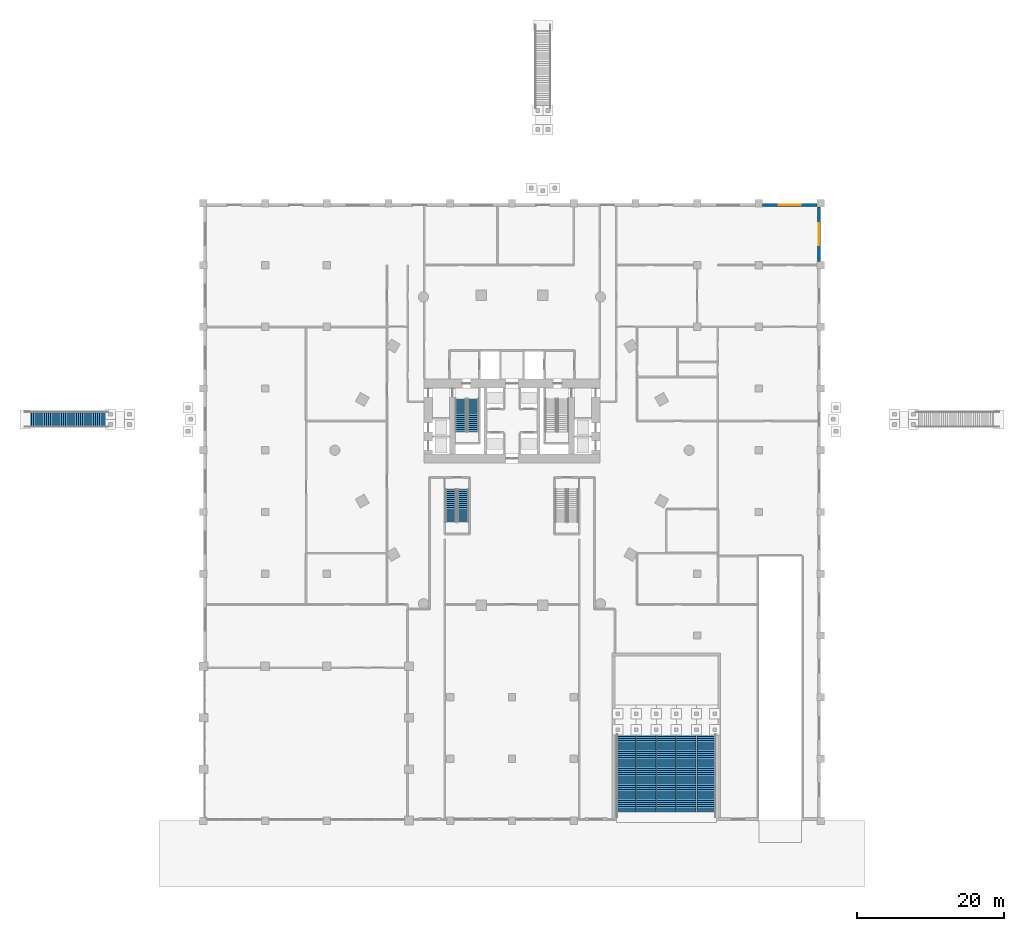
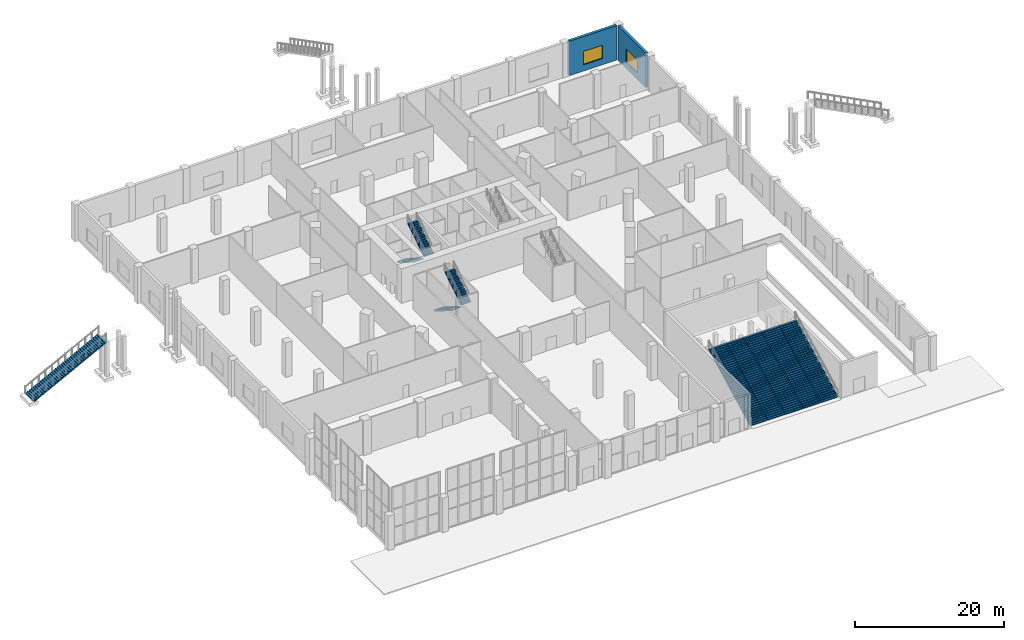
# One storey, part 18 of 25: 10 stair flights, 2 walls, 2 windows, 2 openings, 8 elements without a shape of their own.
"""IFC4 building model written with IfcOpenShell, lengths in metres."""

from ifc_helpers import new_model, si_unit, direction, frame, frame_2d, origin, place, context, subcontext, project, spatial, polyline, rectangle, outline, extrude, material, layer, layer_set, type_object, element, fill, aggregate, save


model = new_model("IFC4")

# Units and contexts
model_context = context("Model", 3, precision=1e-05, world=origin(), true_north=direction((0.0, 1.0)))
body_context = subcontext(model_context, "Body", "Model", "MODEL_VIEW")
ifc_project = project(units=[si_unit("LENGTHUNIT", "METRE"), si_unit("AREAUNIT", "SQUARE_METRE"), si_unit("VOLUMEUNIT", "CUBIC_METRE"), si_unit("PLANEANGLEUNIT", "RADIAN"), si_unit("MASSUNIT", "GRAM", prefix="KILO")], contexts=[model_context])

# Site, building, storey
site_placement = place(None, origin())
site = spatial("IfcSite", under=ifc_project, at=site_placement, CompositionType="ELEMENT")
building_placement = place(site_placement, origin())
building = spatial("IfcBuilding", under=site, at=building_placement, Name="Ostrander Bayou Hotel Tower", CompositionType="ELEMENT")
storey_placement = place(building_placement, origin())
storey = spatial("IfcBuildingStorey", under=building, at=storey_placement, Name="L00", CompositionType="ELEMENT", Elevation=0.0)

# Wall, opening, window
ifc_material_1 = material(Name="Reconstituted stone on masonry backing", Category="masonry")
ifc_layer = layer(ifc_material_1, 0.39990234375)
ifc_layer_set = layer_set([ifc_layer], Name="PW1 stone cladding wall 400 mm")
wall_type = type_object("IfcWallType", Name="PW1 stone cladding wall 400 mm", PredefinedType="SOLIDWALL", material=ifc_layer_set)
wall_1_placement = place(storey_placement, frame((41.800048828125, 33.10009765625, 0.0), z_axis=(0.0, 0.0, 1.0), x_axis=(0.0, -1.0, 0.0)))
wall_1 = element("IfcWall", 1, at=wall_1_placement, inside=storey, type_object=wall_type, Name="pw:L00:9", PredefinedType="SOLIDWALL", context=body_context, shape_type="SweptSolid", body=[
    extrude(rectangle(XDim=7.400146484375, YDim=0.39990234375, at=frame_2d((3.7001953125, 0.0))), origin(), (0.0, 0.0, 1.0), 5.64990234375),
])
opening_1_placement = place(wall_1_placement, frame((2.199951171875, 0.0, 1.0)))
opening_1 = element("IfcOpeningElement", 2, at=opening_1_placement, cuts=wall_1, Name="Opening W6", PredefinedType="OPENING", context=body_context, shape_type="SweptSolid", body=[
    extrude(rectangle(XDim=3.0, YDim=2.199951171875, at=frame_2d((1.5, 1.10009765625))), frame((0.0, 0.199951171875, 0.0), z_axis=(0.0, -1.0, 0.0), x_axis=(1.0, 0.0, 0.0)), (0.0, 0.0, 1.0), 0.39990234375),
])
ifc_material_2 = material(Name="Aluminium and clear glass", Category="aluminium")
window_type = type_object("IfcWindowType", Name="W6 podium window 3000 mm", PartitioningType="SINGLE_PANEL", PredefinedType="WINDOW", material=ifc_material_2)
window_1_placement = place(opening_1_placement, origin())
window_1 = element("IfcWindow", 3, at=window_1_placement, inside=storey, type_object=window_type, Name="W6 L00 9", OverallHeight=2.199951171875, OverallWidth=3.0, PartitioningType="SINGLE_PANEL", PredefinedType="WINDOW", context=body_context, shape_type="SweptSolid", body=[
    extrude(rectangle(XDim=3.0, YDim=2.199951171875, at=frame_2d((1.5, 1.10009765625))), frame((0.0, 0.030029296875, 0.0), z_axis=(0.0, -1.0, 0.0), x_axis=(1.0, 0.0, 0.0)), (0.0, 0.0, 1.0), 0.06005859375),
])
fill(opening_1, window_1)

wall_2_placement = place(storey_placement, frame((34.10009765625, 33.39990234375, 0.0), z_axis=(0.0, 0.0, 1.0), x_axis=(1.0, 0.0, 0.0)))
wall_2 = element("IfcWall", 4, at=wall_2_placement, inside=storey, type_object=wall_type, Name="pw:L00:28", PredefinedType="SOLIDWALL", context=body_context, shape_type="SweptSolid", body=[
    extrude(rectangle(XDim=7.39990234375, YDim=0.39990234375, at=frame_2d((3.699951171875, 0.0))), origin(), (0.0, 0.0, 1.0), 5.64990234375),
])
opening_2_placement = place(wall_2_placement, frame((2.199951171875, 0.0, 1.0)))
opening_2 = element("IfcOpeningElement", 5, at=opening_2_placement, cuts=wall_2, Name="Opening W6", PredefinedType="OPENING", context=body_context, shape_type="SweptSolid", body=[
    extrude(rectangle(XDim=3.0, YDim=2.199951171875, at=frame_2d((1.5, 1.10009765625))), frame((0.0, 0.199951171875, 0.0), z_axis=(0.0, -1.0, 0.0), x_axis=(1.0, 0.0, 0.0)), (0.0, 0.0, 1.0), 0.39990234375),
])
window_2_placement = place(opening_2_placement, origin())
window_2 = element("IfcWindow", 6, at=window_2_placement, inside=storey, type_object=window_type, Name="W6 L00 28", OverallHeight=2.199951171875, OverallWidth=3.0, PartitioningType="SINGLE_PANEL", PredefinedType="WINDOW", context=body_context, shape_type="SweptSolid", body=[
    extrude(rectangle(XDim=3.0, YDim=2.199951171875, at=frame_2d((1.5, 1.10009765625))), frame((0.0, 0.030029296875, 0.0), z_axis=(0.0, -1.0, 0.0), x_axis=(1.0, 0.0, 0.0)), (0.0, 0.0, 1.0), 0.06005859375),
])
fill(opening_2, window_2)

# Stair, stair flights
ifc_material_3 = material(Name="Concrete f'c 45 MPa", Category="concrete")
stair_type_1 = type_object("IfcStairType", Name="ST1 exit stair 1500 mm f'c 45 MPa", PredefinedType="HALF_TURN_STAIR", material=ifc_material_3)
stair_1_placement = place(storey_placement, origin())
stair_1 = element("IfcStair", 7, at=stair_1_placement, inside=storey, type_object=stair_type_1, Name="L00 exit stair A", PredefinedType="HALF_TURN_STAIR")
ifc_material_4 = material(Name="Concrete f'c 45 MPa", Category="concrete")
stair_flight_type_1 = type_object("IfcStairFlightType", Name="SF1 stair flight 1500 mm f'c 45 MPa", PredefinedType="STRAIGHT", material=ifc_material_4)
stair_flight_1_placement = place(storey_placement, frame((-6.949951171875, 7.0, 0.0), z_axis=(0.0, 0.0, 1.0), x_axis=(0.0, -1.0, 0.0)))
stair_flight_1 = element("IfcStairFlight", 8, at=stair_flight_1_placement, type_object=stair_flight_type_1, Name="STA flight 1", NumberOfRisers=17, NumberOfTreads=16, PredefinedType="STRAIGHT", RiserHeight=0.176470588, TreadLength=0.28, context=body_context, shape_type="SweptSolid", body=[
    extrude(outline(polyline([(0.0, 0.0), (0.0, 0.176513671875), (0.280029296875, 0.176513671875), (0.280029296875, 0.35302734375), (0.56005859375, 0.35302734375), (0.56005859375, 0.529296875), (0.840087890625, 0.529296875), (0.840087890625, 0.705810546875), (1.1201171875, 0.705810546875), (1.1201171875, 0.88232421875), (1.39990234375, 0.88232421875), (1.39990234375, 1.058837890625), (1.679931640625, 1.058837890625), (1.679931640625, 1.2353515625), (1.9599609375, 1.2353515625), (1.9599609375, 1.411865234375), (2.239990234375, 1.411865234375), (2.239990234375, 1.588134765625), (2.52001953125, 1.588134765625), (2.52001953125, 1.7646484375), (2.800048828125, 1.7646484375), (2.800048828125, 1.941162109375), (3.080078125, 1.941162109375), (3.080078125, 2.11767578125), (3.360107421875, 2.11767578125), (3.360107421875, 2.294189453125), (3.639892578125, 2.294189453125), (3.639892578125, 2.470703125), (3.919921875, 2.470703125), (3.919921875, 2.64697265625), (4.199951171875, 2.64697265625), (4.199951171875, 2.823486328125), (4.47998046875, 2.823486328125), (4.47998046875, 3.0), (4.47998046875, 2.646240234375), (0.28125, 0.0), (0.0, 0.0)])), frame((0.0, 0.75, 0.0), z_axis=(0.0, -1.0, 0.0), x_axis=(1.0, 0.0, 0.0)), (0.0, 0.0, 1.0), 1.5),
])
stair_flight_2_placement = place(storey_placement, frame((-5.300048828125, 2.52001953125, 3.0), z_axis=(0.0, 0.0, 1.0), x_axis=(0.0, 1.0, 0.0)))
stair_flight_2 = element("IfcStairFlight", 9, at=stair_flight_2_placement, type_object=stair_flight_type_1, Name="STA flight 2", NumberOfRisers=17, NumberOfTreads=16, PredefinedType="STRAIGHT", RiserHeight=0.176470588, TreadLength=0.28, context=body_context, shape_type="SweptSolid", body=[
    extrude(outline(polyline([(0.0, 0.0), (0.0, 0.176513671875), (0.280029296875, 0.176513671875), (0.280029296875, 0.35302734375), (0.56005859375, 0.35302734375), (0.56005859375, 0.529296875), (0.840087890625, 0.529296875), (0.840087890625, 0.705810546875), (1.1201171875, 0.705810546875), (1.1201171875, 0.88232421875), (1.39990234375, 0.88232421875), (1.39990234375, 1.058837890625), (1.679931640625, 1.058837890625), (1.679931640625, 1.2353515625), (1.9599609375, 1.2353515625), (1.9599609375, 1.411865234375), (2.239990234375, 1.411865234375), (2.239990234375, 1.588134765625), (2.52001953125, 1.588134765625), (2.52001953125, 1.7646484375), (2.800048828125, 1.7646484375), (2.800048828125, 1.941162109375), (3.080078125, 1.941162109375), (3.080078125, 2.11767578125), (3.360107421875, 2.11767578125), (3.360107421875, 2.294189453125), (3.639892578125, 2.294189453125), (3.639892578125, 2.470703125), (3.919921875, 2.470703125), (3.919921875, 2.64697265625), (4.199951171875, 2.64697265625), (4.199951171875, 2.823486328125), (4.47998046875, 2.823486328125), (4.47998046875, 3.0), (4.47998046875, 2.646240234375), (0.28125, 0.0), (0.0, 0.0)])), frame((0.0, 0.75, 0.0), z_axis=(0.0, -1.0, 0.0), x_axis=(1.0, 0.0, 0.0)), (0.0, 0.0, 1.0), 1.5),
])
aggregate(stair_1, [stair_flight_1, stair_flight_2])

stair_2_placement = place(storey_placement, origin())
stair_2 = element("IfcStair", 10, at=stair_2_placement, inside=storey, type_object=stair_type_1, Name="L00 exit stair D", PredefinedType="HALF_TURN_STAIR")
stair_flight_3_placement = place(storey_placement, frame((-8.300048828125, -5.300048828125, 0.0), z_axis=(0.0, 0.0, 1.0), x_axis=(0.0, -1.0, 0.0)))
stair_flight_3 = element("IfcStairFlight", 11, at=stair_flight_3_placement, type_object=stair_flight_type_1, Name="STD flight 1", NumberOfRisers=17, NumberOfTreads=16, PredefinedType="STRAIGHT", RiserHeight=0.176470588, TreadLength=0.28, context=body_context, shape_type="SweptSolid", body=[
    extrude(outline(polyline([(0.0, 0.0), (0.0, 0.176513671875), (0.280029296875, 0.176513671875), (0.280029296875, 0.35302734375), (0.56005859375, 0.35302734375), (0.56005859375, 0.529296875), (0.840087890625, 0.529296875), (0.840087890625, 0.705810546875), (1.1201171875, 0.705810546875), (1.1201171875, 0.88232421875), (1.39990234375, 0.88232421875), (1.39990234375, 1.058837890625), (1.679931640625, 1.058837890625), (1.679931640625, 1.2353515625), (1.9599609375, 1.2353515625), (1.9599609375, 1.411865234375), (2.239990234375, 1.411865234375), (2.239990234375, 1.588134765625), (2.52001953125, 1.588134765625), (2.52001953125, 1.7646484375), (2.800048828125, 1.7646484375), (2.800048828125, 1.941162109375), (3.080078125, 1.941162109375), (3.080078125, 2.11767578125), (3.360107421875, 2.11767578125), (3.360107421875, 2.294189453125), (3.639892578125, 2.294189453125), (3.639892578125, 2.470703125), (3.919921875, 2.470703125), (3.919921875, 2.64697265625), (4.199951171875, 2.64697265625), (4.199951171875, 2.823486328125), (4.47998046875, 2.823486328125), (4.47998046875, 3.0), (4.47998046875, 2.646240234375), (0.28125, 0.0), (0.0, 0.0)])), frame((0.0, 0.75, 0.0), z_axis=(0.0, -1.0, 0.0), x_axis=(1.0, 0.0, 0.0)), (0.0, 0.0, 1.0), 1.5),
])
stair_flight_4_placement = place(storey_placement, frame((-6.64990234375, -9.780029296875, 3.0), z_axis=(0.0, 0.0, 1.0), x_axis=(0.0, 1.0, 0.0)))
stair_flight_4 = element("IfcStairFlight", 12, at=stair_flight_4_placement, type_object=stair_flight_type_1, Name="STD flight 2", NumberOfRisers=17, NumberOfTreads=16, PredefinedType="STRAIGHT", RiserHeight=0.176470588, TreadLength=0.28, context=body_context, shape_type="SweptSolid", body=[
    extrude(outline(polyline([(0.0, 0.0), (0.0, 0.176513671875), (0.280029296875, 0.176513671875), (0.280029296875, 0.35302734375), (0.56005859375, 0.35302734375), (0.56005859375, 0.529296875), (0.840087890625, 0.529296875), (0.840087890625, 0.705810546875), (1.1201171875, 0.705810546875), (1.1201171875, 0.88232421875), (1.39990234375, 0.88232421875), (1.39990234375, 1.058837890625), (1.679931640625, 1.058837890625), (1.679931640625, 1.2353515625), (1.9599609375, 1.2353515625), (1.9599609375, 1.411865234375), (2.239990234375, 1.411865234375), (2.239990234375, 1.588134765625), (2.52001953125, 1.588134765625), (2.52001953125, 1.7646484375), (2.800048828125, 1.7646484375), (2.800048828125, 1.941162109375), (3.080078125, 1.941162109375), (3.080078125, 2.11767578125), (3.360107421875, 2.11767578125), (3.360107421875, 2.294189453125), (3.639892578125, 2.294189453125), (3.639892578125, 2.470703125), (3.919921875, 2.470703125), (3.919921875, 2.64697265625), (4.199951171875, 2.64697265625), (4.199951171875, 2.823486328125), (4.47998046875, 2.823486328125), (4.47998046875, 3.0), (4.47998046875, 2.646240234375), (0.28125, 0.0), (0.0, 0.0)])), frame((0.0, 0.75, 0.0), z_axis=(0.0, -1.0, 0.0), x_axis=(1.0, 0.0, 0.0)), (0.0, 0.0, 1.0), 1.5),
])
aggregate(stair_2, [stair_flight_3, stair_flight_4])

# Stair, stair flight
ifc_material_5 = material(Name="Concrete f'c 40 MPa", Category="concrete")
stair_type_2 = type_object("IfcStairType", Name="ST11 deck stair 2200 mm", PredefinedType="STRAIGHT_RUN_STAIR", material=ifc_material_5)
stair_3_placement = place(storey_placement, origin())
stair_3 = element("IfcStair", 13, at=stair_3_placement, inside=storey, type_object=stair_type_2, Name="ST11 deck stair W", PredefinedType="STRAIGHT_RUN_STAIR")
ifc_material_6 = material(Name="Concrete f'c 40 MPa", Category="concrete")
stair_flight_type_2 = type_object("IfcStairFlightType", Name="ST11 deck stair flight 2200 mm", PredefinedType="STRAIGHT", material=ifc_material_6)
stair_flight_5_placement = place(storey_placement, frame((-66.25, 4.199951171875, 0.0), z_axis=(0.0, 0.0, 1.0), x_axis=(1.0, 0.0, 0.0)))
stair_flight_5 = element("IfcStairFlight", 14, at=stair_flight_5_placement, type_object=stair_flight_type_2, Name="ST11 flight 1", NumberOfRisers=40, NumberOfTreads=39, PredefinedType="STRAIGHT", RiserHeight=0.15, TreadLength=0.29, context=body_context, shape_type="SweptSolid", body=[
    extrude(outline(polyline([(0.0, 0.0), (0.0, 0.14990234375), (0.2900390625, 0.14990234375), (0.2900390625, 0.300048828125), (0.580078125, 0.300048828125), (0.580078125, 0.449951171875), (0.8701171875, 0.449951171875), (0.8701171875, 0.60009765625), (1.159912109375, 0.60009765625), (1.159912109375, 0.75), (1.449951171875, 0.75), (1.449951171875, 0.89990234375), (1.739990234375, 0.89990234375), (1.739990234375, 1.050048828125), (2.030029296875, 1.050048828125), (2.030029296875, 1.199951171875), (2.320068359375, 1.199951171875), (2.320068359375, 1.35009765625), (2.610107421875, 1.35009765625), (2.610107421875, 1.5), (2.89990234375, 1.5), (2.89990234375, 1.64990234375), (3.18994140625, 1.64990234375), (3.18994140625, 1.800048828125), (3.47998046875, 1.800048828125), (3.47998046875, 1.949951171875), (3.77001953125, 1.949951171875), (3.77001953125, 2.10009765625), (4.06005859375, 2.10009765625), (4.06005859375, 2.25), (4.35009765625, 2.25), (4.35009765625, 2.39990234375), (4.639892578125, 2.39990234375), (4.639892578125, 2.550048828125), (4.929931640625, 2.550048828125), (4.929931640625, 2.699951171875), (5.219970703125, 2.699951171875), (5.219970703125, 2.85009765625), (5.510009765625, 2.85009765625), (5.510009765625, 3.0), (5.800048828125, 3.0), (5.800048828125, 3.14990234375), (6.090087890625, 3.14990234375), (6.090087890625, 3.300048828125), (6.3798828125, 3.300048828125), (6.3798828125, 3.449951171875), (6.669921875, 3.449951171875), (6.669921875, 3.60009765625), (6.9599609375, 3.60009765625), (6.9599609375, 3.75), (7.25, 3.75), (7.25, 3.89990234375), (7.5400390625, 3.89990234375), (7.5400390625, 4.050048828125), (7.830078125, 4.050048828125), (7.830078125, 4.199951171875), (8.1201171875, 4.199951171875), (8.1201171875, 4.35009765625), (8.409912109375, 4.35009765625), (8.409912109375, 4.5), (8.699951171875, 4.5), (8.699951171875, 4.64990234375), (8.989990234375, 4.64990234375), (8.989990234375, 4.800048828125), (9.280029296875, 4.800048828125), (9.280029296875, 4.949951171875), (9.570068359375, 4.949951171875), (9.570068359375, 5.10009765625), (9.860107421875, 5.10009765625), (9.860107421875, 5.25), (10.14990234375, 5.25), (10.14990234375, 5.39990234375), (10.43994140625, 5.39990234375), (10.43994140625, 5.550048828125), (10.72998046875, 5.550048828125), (10.72998046875, 5.699951171875), (11.02001953125, 5.699951171875), (11.02001953125, 5.85009765625), (11.31005859375, 5.85009765625), (11.31005859375, 6.0), (11.31005859375, 5.68115234375), (0.326171875, 0.0), (0.0, 0.0)])), frame((0.0, 1.10009765625, 0.0), z_axis=(0.0, -1.0, 0.0), x_axis=(1.0, 0.0, 0.0)), (0.0, 0.0, 1.0), 2.199951171875),
])
aggregate(stair_3, [stair_flight_5])

ifc_material_7 = material(Name="Concrete f'c 40 MPa", Category="concrete")
stair_type_3 = type_object("IfcStairType", Name="ST9 garden stair", PredefinedType="STRAIGHT_RUN_STAIR", material=ifc_material_7)
stair_4_placement = place(storey_placement, origin())
stair_4 = element("IfcStair", 15, at=stair_4_placement, inside=storey, type_object=stair_type_3, Name="ST9 garden stair 1", PredefinedType="STRAIGHT_RUN_STAIR")
ifc_material_8 = material(Name="Concrete f'c 40 MPa", Category="concrete")
stair_flight_type_3 = type_object("IfcStairFlightType", Name="ST9 garden stair flight", PredefinedType="STRAIGHT", material=ifc_material_8)
stair_flight_6_placement = place(storey_placement, frame((15.528076171875, -49.949951171875, 0.0), z_axis=(0.0, 0.0, 1.0), x_axis=(0.0, 1.0, 0.0)))
stair_flight_6 = element("IfcStairFlight", 16, at=stair_flight_6_placement, type_object=stair_flight_type_3, Name="ST9 flight 1", NumberOfRisers=40, NumberOfTreads=39, PredefinedType="STRAIGHT", RiserHeight=0.15, TreadLength=0.29, context=body_context, shape_type="SweptSolid", body=[
    extrude(outline(polyline([(0.0, 0.0), (0.0, 0.14990234375), (0.2900390625, 0.14990234375), (0.2900390625, 0.300048828125), (0.580078125, 0.300048828125), (0.580078125, 0.449951171875), (0.8701171875, 0.449951171875), (0.8701171875, 0.60009765625), (1.159912109375, 0.60009765625), (1.159912109375, 0.75), (1.449951171875, 0.75), (1.449951171875, 0.89990234375), (1.739990234375, 0.89990234375), (1.739990234375, 1.050048828125), (2.030029296875, 1.050048828125), (2.030029296875, 1.199951171875), (2.320068359375, 1.199951171875), (2.320068359375, 1.35009765625), (2.610107421875, 1.35009765625), (2.610107421875, 1.5), (2.89990234375, 1.5), (2.89990234375, 1.64990234375), (3.18994140625, 1.64990234375), (3.18994140625, 1.800048828125), (3.47998046875, 1.800048828125), (3.47998046875, 1.949951171875), (3.77001953125, 1.949951171875), (3.77001953125, 2.10009765625), (4.06005859375, 2.10009765625), (4.06005859375, 2.25), (4.35009765625, 2.25), (4.35009765625, 2.39990234375), (4.639892578125, 2.39990234375), (4.639892578125, 2.550048828125), (4.929931640625, 2.550048828125), (4.929931640625, 2.699951171875), (5.219970703125, 2.699951171875), (5.219970703125, 2.85009765625), (5.510009765625, 2.85009765625), (5.510009765625, 3.0), (5.800048828125, 3.0), (5.800048828125, 3.14990234375), (6.090087890625, 3.14990234375), (6.090087890625, 3.300048828125), (6.3798828125, 3.300048828125), (6.3798828125, 3.449951171875), (6.669921875, 3.449951171875), (6.669921875, 3.60009765625), (6.9599609375, 3.60009765625), (6.9599609375, 3.75), (7.25, 3.75), (7.25, 3.89990234375), (7.5400390625, 3.89990234375), (7.5400390625, 4.050048828125), (7.830078125, 4.050048828125), (7.830078125, 4.199951171875), (8.1201171875, 4.199951171875), (8.1201171875, 4.35009765625), (8.409912109375, 4.35009765625), (8.409912109375, 4.5), (8.699951171875, 4.5), (8.699951171875, 4.64990234375), (8.989990234375, 4.64990234375), (8.989990234375, 4.800048828125), (9.280029296875, 4.800048828125), (9.280029296875, 4.949951171875), (9.570068359375, 4.949951171875), (9.570068359375, 5.10009765625), (9.860107421875, 5.10009765625), (9.860107421875, 5.25), (10.14990234375, 5.25), (10.14990234375, 5.39990234375), (10.43994140625, 5.39990234375), (10.43994140625, 5.550048828125), (10.72998046875, 5.550048828125), (10.72998046875, 5.699951171875), (11.02001953125, 5.699951171875), (11.02001953125, 5.85009765625), (11.31005859375, 5.85009765625), (11.31005859375, 6.0), (11.31005859375, 5.68115234375), (0.326171875, 0.0), (0.0, 0.0)])), frame((0.0, 1.328125, 0.0), z_axis=(0.0, -1.0, 0.0), x_axis=(1.0, 0.0, 0.0)), (0.0, 0.0, 1.0), 2.656005859375),
])
aggregate(stair_4, [stair_flight_6])

stair_5_placement = place(storey_placement, origin())
stair_5 = element("IfcStair", 17, at=stair_5_placement, inside=storey, type_object=stair_type_3, Name="ST9 garden stair 2", PredefinedType="STRAIGHT_RUN_STAIR")
stair_flight_7_placement = place(storey_placement, frame((18.263916015625, -49.949951171875, 0.0), z_axis=(0.0, 0.0, 1.0), x_axis=(0.0, 1.0, 0.0)))
stair_flight_7 = element("IfcStairFlight", 18, at=stair_flight_7_placement, type_object=stair_flight_type_3, Name="ST9 flight 1", NumberOfRisers=40, NumberOfTreads=39, PredefinedType="STRAIGHT", RiserHeight=0.15, TreadLength=0.29, context=body_context, shape_type="SweptSolid", body=[
    extrude(outline(polyline([(0.0, 0.0), (0.0, 0.14990234375), (0.2900390625, 0.14990234375), (0.2900390625, 0.300048828125), (0.580078125, 0.300048828125), (0.580078125, 0.449951171875), (0.8701171875, 0.449951171875), (0.8701171875, 0.60009765625), (1.159912109375, 0.60009765625), (1.159912109375, 0.75), (1.449951171875, 0.75), (1.449951171875, 0.89990234375), (1.739990234375, 0.89990234375), (1.739990234375, 1.050048828125), (2.030029296875, 1.050048828125), (2.030029296875, 1.199951171875), (2.320068359375, 1.199951171875), (2.320068359375, 1.35009765625), (2.610107421875, 1.35009765625), (2.610107421875, 1.5), (2.89990234375, 1.5), (2.89990234375, 1.64990234375), (3.18994140625, 1.64990234375), (3.18994140625, 1.800048828125), (3.47998046875, 1.800048828125), (3.47998046875, 1.949951171875), (3.77001953125, 1.949951171875), (3.77001953125, 2.10009765625), (4.06005859375, 2.10009765625), (4.06005859375, 2.25), (4.35009765625, 2.25), (4.35009765625, 2.39990234375), (4.639892578125, 2.39990234375), (4.639892578125, 2.550048828125), (4.929931640625, 2.550048828125), (4.929931640625, 2.699951171875), (5.219970703125, 2.699951171875), (5.219970703125, 2.85009765625), (5.510009765625, 2.85009765625), (5.510009765625, 3.0), (5.800048828125, 3.0), (5.800048828125, 3.14990234375), (6.090087890625, 3.14990234375), (6.090087890625, 3.300048828125), (6.3798828125, 3.300048828125), (6.3798828125, 3.449951171875), (6.669921875, 3.449951171875), (6.669921875, 3.60009765625), (6.9599609375, 3.60009765625), (6.9599609375, 3.75), (7.25, 3.75), (7.25, 3.89990234375), (7.5400390625, 3.89990234375), (7.5400390625, 4.050048828125), (7.830078125, 4.050048828125), (7.830078125, 4.199951171875), (8.1201171875, 4.199951171875), (8.1201171875, 4.35009765625), (8.409912109375, 4.35009765625), (8.409912109375, 4.5), (8.699951171875, 4.5), (8.699951171875, 4.64990234375), (8.989990234375, 4.64990234375), (8.989990234375, 4.800048828125), (9.280029296875, 4.800048828125), (9.280029296875, 4.949951171875), (9.570068359375, 4.949951171875), (9.570068359375, 5.10009765625), (9.860107421875, 5.10009765625), (9.860107421875, 5.25), (10.14990234375, 5.25), (10.14990234375, 5.39990234375), (10.43994140625, 5.39990234375), (10.43994140625, 5.550048828125), (10.72998046875, 5.550048828125), (10.72998046875, 5.699951171875), (11.02001953125, 5.699951171875), (11.02001953125, 5.85009765625), (11.31005859375, 5.85009765625), (11.31005859375, 6.0), (11.31005859375, 5.68115234375), (0.326171875, 0.0), (0.0, 0.0)])), frame((0.0, 1.328125, 0.0), z_axis=(0.0, -1.0, 0.0), x_axis=(1.0, 0.0, 0.0)), (0.0, 0.0, 1.0), 2.656005859375),
])
aggregate(stair_5, [stair_flight_7])

stair_6_placement = place(storey_placement, origin())
stair_6 = element("IfcStair", 19, at=stair_6_placement, inside=storey, type_object=stair_type_3, Name="ST9 garden stair 3", PredefinedType="STRAIGHT_RUN_STAIR")
stair_flight_8_placement = place(storey_placement, frame((21.0, -49.949951171875, 0.0), z_axis=(0.0, 0.0, 1.0), x_axis=(0.0, 1.0, 0.0)))
stair_flight_8 = element("IfcStairFlight", 20, at=stair_flight_8_placement, type_object=stair_flight_type_3, Name="ST9 flight 1", NumberOfRisers=40, NumberOfTreads=39, PredefinedType="STRAIGHT", RiserHeight=0.15, TreadLength=0.29, context=body_context, shape_type="SweptSolid", body=[
    extrude(outline(polyline([(0.0, 0.0), (0.0, 0.14990234375), (0.2900390625, 0.14990234375), (0.2900390625, 0.300048828125), (0.580078125, 0.300048828125), (0.580078125, 0.449951171875), (0.8701171875, 0.449951171875), (0.8701171875, 0.60009765625), (1.159912109375, 0.60009765625), (1.159912109375, 0.75), (1.449951171875, 0.75), (1.449951171875, 0.89990234375), (1.739990234375, 0.89990234375), (1.739990234375, 1.050048828125), (2.030029296875, 1.050048828125), (2.030029296875, 1.199951171875), (2.320068359375, 1.199951171875), (2.320068359375, 1.35009765625), (2.610107421875, 1.35009765625), (2.610107421875, 1.5), (2.89990234375, 1.5), (2.89990234375, 1.64990234375), (3.18994140625, 1.64990234375), (3.18994140625, 1.800048828125), (3.47998046875, 1.800048828125), (3.47998046875, 1.949951171875), (3.77001953125, 1.949951171875), (3.77001953125, 2.10009765625), (4.06005859375, 2.10009765625), (4.06005859375, 2.25), (4.35009765625, 2.25), (4.35009765625, 2.39990234375), (4.639892578125, 2.39990234375), (4.639892578125, 2.550048828125), (4.929931640625, 2.550048828125), (4.929931640625, 2.699951171875), (5.219970703125, 2.699951171875), (5.219970703125, 2.85009765625), (5.510009765625, 2.85009765625), (5.510009765625, 3.0), (5.800048828125, 3.0), (5.800048828125, 3.14990234375), (6.090087890625, 3.14990234375), (6.090087890625, 3.300048828125), (6.3798828125, 3.300048828125), (6.3798828125, 3.449951171875), (6.669921875, 3.449951171875), (6.669921875, 3.60009765625), (6.9599609375, 3.60009765625), (6.9599609375, 3.75), (7.25, 3.75), (7.25, 3.89990234375), (7.5400390625, 3.89990234375), (7.5400390625, 4.050048828125), (7.830078125, 4.050048828125), (7.830078125, 4.199951171875), (8.1201171875, 4.199951171875), (8.1201171875, 4.35009765625), (8.409912109375, 4.35009765625), (8.409912109375, 4.5), (8.699951171875, 4.5), (8.699951171875, 4.64990234375), (8.989990234375, 4.64990234375), (8.989990234375, 4.800048828125), (9.280029296875, 4.800048828125), (9.280029296875, 4.949951171875), (9.570068359375, 4.949951171875), (9.570068359375, 5.10009765625), (9.860107421875, 5.10009765625), (9.860107421875, 5.25), (10.14990234375, 5.25), (10.14990234375, 5.39990234375), (10.43994140625, 5.39990234375), (10.43994140625, 5.550048828125), (10.72998046875, 5.550048828125), (10.72998046875, 5.699951171875), (11.02001953125, 5.699951171875), (11.02001953125, 5.85009765625), (11.31005859375, 5.85009765625), (11.31005859375, 6.0), (11.31005859375, 5.68115234375), (0.326171875, 0.0), (0.0, 0.0)])), frame((0.0, 1.328125, 0.0), z_axis=(0.0, -1.0, 0.0), x_axis=(1.0, 0.0, 0.0)), (0.0, 0.0, 1.0), 2.656005859375),
])
aggregate(stair_6, [stair_flight_8])

stair_7_placement = place(storey_placement, origin())
stair_7 = element("IfcStair", 21, at=stair_7_placement, inside=storey, type_object=stair_type_3, Name="ST9 garden stair 4", PredefinedType="STRAIGHT_RUN_STAIR")
stair_flight_9_placement = place(storey_placement, frame((23.736083984375, -49.949951171875, 0.0), z_axis=(0.0, 0.0, 1.0), x_axis=(0.0, 1.0, 0.0)))
stair_flight_9 = element("IfcStairFlight", 22, at=stair_flight_9_placement, type_object=stair_flight_type_3, Name="ST9 flight 1", NumberOfRisers=40, NumberOfTreads=39, PredefinedType="STRAIGHT", RiserHeight=0.15, TreadLength=0.29, context=body_context, shape_type="SweptSolid", body=[
    extrude(outline(polyline([(0.0, 0.0), (0.0, 0.14990234375), (0.2900390625, 0.14990234375), (0.2900390625, 0.300048828125), (0.580078125, 0.300048828125), (0.580078125, 0.449951171875), (0.8701171875, 0.449951171875), (0.8701171875, 0.60009765625), (1.159912109375, 0.60009765625), (1.159912109375, 0.75), (1.449951171875, 0.75), (1.449951171875, 0.89990234375), (1.739990234375, 0.89990234375), (1.739990234375, 1.050048828125), (2.030029296875, 1.050048828125), (2.030029296875, 1.199951171875), (2.320068359375, 1.199951171875), (2.320068359375, 1.35009765625), (2.610107421875, 1.35009765625), (2.610107421875, 1.5), (2.89990234375, 1.5), (2.89990234375, 1.64990234375), (3.18994140625, 1.64990234375), (3.18994140625, 1.800048828125), (3.47998046875, 1.800048828125), (3.47998046875, 1.949951171875), (3.77001953125, 1.949951171875), (3.77001953125, 2.10009765625), (4.06005859375, 2.10009765625), (4.06005859375, 2.25), (4.35009765625, 2.25), (4.35009765625, 2.39990234375), (4.639892578125, 2.39990234375), (4.639892578125, 2.550048828125), (4.929931640625, 2.550048828125), (4.929931640625, 2.699951171875), (5.219970703125, 2.699951171875), (5.219970703125, 2.85009765625), (5.510009765625, 2.85009765625), (5.510009765625, 3.0), (5.800048828125, 3.0), (5.800048828125, 3.14990234375), (6.090087890625, 3.14990234375), (6.090087890625, 3.300048828125), (6.3798828125, 3.300048828125), (6.3798828125, 3.449951171875), (6.669921875, 3.449951171875), (6.669921875, 3.60009765625), (6.9599609375, 3.60009765625), (6.9599609375, 3.75), (7.25, 3.75), (7.25, 3.89990234375), (7.5400390625, 3.89990234375), (7.5400390625, 4.050048828125), (7.830078125, 4.050048828125), (7.830078125, 4.199951171875), (8.1201171875, 4.199951171875), (8.1201171875, 4.35009765625), (8.409912109375, 4.35009765625), (8.409912109375, 4.5), (8.699951171875, 4.5), (8.699951171875, 4.64990234375), (8.989990234375, 4.64990234375), (8.989990234375, 4.800048828125), (9.280029296875, 4.800048828125), (9.280029296875, 4.949951171875), (9.570068359375, 4.949951171875), (9.570068359375, 5.10009765625), (9.860107421875, 5.10009765625), (9.860107421875, 5.25), (10.14990234375, 5.25), (10.14990234375, 5.39990234375), (10.43994140625, 5.39990234375), (10.43994140625, 5.550048828125), (10.72998046875, 5.550048828125), (10.72998046875, 5.699951171875), (11.02001953125, 5.699951171875), (11.02001953125, 5.85009765625), (11.31005859375, 5.85009765625), (11.31005859375, 6.0), (11.31005859375, 5.68115234375), (0.326171875, 0.0), (0.0, 0.0)])), frame((0.0, 1.328125, 0.0), z_axis=(0.0, -1.0, 0.0), x_axis=(1.0, 0.0, 0.0)), (0.0, 0.0, 1.0), 2.656005859375),
])
aggregate(stair_7, [stair_flight_9])

stair_8_placement = place(storey_placement, origin())
stair_8 = element("IfcStair", 23, at=stair_8_placement, inside=storey, type_object=stair_type_3, Name="ST9 garden stair 5", PredefinedType="STRAIGHT_RUN_STAIR")
stair_flight_10_placement = place(storey_placement, frame((26.471923828125, -49.949951171875, 0.0), z_axis=(0.0, 0.0, 1.0), x_axis=(0.0, 1.0, 0.0)))
stair_flight_10 = element("IfcStairFlight", 24, at=stair_flight_10_placement, type_object=stair_flight_type_3, Name="ST9 flight 1", NumberOfRisers=40, NumberOfTreads=39, PredefinedType="STRAIGHT", RiserHeight=0.15, TreadLength=0.29, context=body_context, shape_type="SweptSolid", body=[
    extrude(outline(polyline([(0.0, 0.0), (0.0, 0.14990234375), (0.2900390625, 0.14990234375), (0.2900390625, 0.300048828125), (0.580078125, 0.300048828125), (0.580078125, 0.449951171875), (0.8701171875, 0.449951171875), (0.8701171875, 0.60009765625), (1.159912109375, 0.60009765625), (1.159912109375, 0.75), (1.449951171875, 0.75), (1.449951171875, 0.89990234375), (1.739990234375, 0.89990234375), (1.739990234375, 1.050048828125), (2.030029296875, 1.050048828125), (2.030029296875, 1.199951171875), (2.320068359375, 1.199951171875), (2.320068359375, 1.35009765625), (2.610107421875, 1.35009765625), (2.610107421875, 1.5), (2.89990234375, 1.5), (2.89990234375, 1.64990234375), (3.18994140625, 1.64990234375), (3.18994140625, 1.800048828125), (3.47998046875, 1.800048828125), (3.47998046875, 1.949951171875), (3.77001953125, 1.949951171875), (3.77001953125, 2.10009765625), (4.06005859375, 2.10009765625), (4.06005859375, 2.25), (4.35009765625, 2.25), (4.35009765625, 2.39990234375), (4.639892578125, 2.39990234375), (4.639892578125, 2.550048828125), (4.929931640625, 2.550048828125), (4.929931640625, 2.699951171875), (5.219970703125, 2.699951171875), (5.219970703125, 2.85009765625), (5.510009765625, 2.85009765625), (5.510009765625, 3.0), (5.800048828125, 3.0), (5.800048828125, 3.14990234375), (6.090087890625, 3.14990234375), (6.090087890625, 3.300048828125), (6.3798828125, 3.300048828125), (6.3798828125, 3.449951171875), (6.669921875, 3.449951171875), (6.669921875, 3.60009765625), (6.9599609375, 3.60009765625), (6.9599609375, 3.75), (7.25, 3.75), (7.25, 3.89990234375), (7.5400390625, 3.89990234375), (7.5400390625, 4.050048828125), (7.830078125, 4.050048828125), (7.830078125, 4.199951171875), (8.1201171875, 4.199951171875), (8.1201171875, 4.35009765625), (8.409912109375, 4.35009765625), (8.409912109375, 4.5), (8.699951171875, 4.5), (8.699951171875, 4.64990234375), (8.989990234375, 4.64990234375), (8.989990234375, 4.800048828125), (9.280029296875, 4.800048828125), (9.280029296875, 4.949951171875), (9.570068359375, 4.949951171875), (9.570068359375, 5.10009765625), (9.860107421875, 5.10009765625), (9.860107421875, 5.25), (10.14990234375, 5.25), (10.14990234375, 5.39990234375), (10.43994140625, 5.39990234375), (10.43994140625, 5.550048828125), (10.72998046875, 5.550048828125), (10.72998046875, 5.699951171875), (11.02001953125, 5.699951171875), (11.02001953125, 5.85009765625), (11.31005859375, 5.85009765625), (11.31005859375, 6.0), (11.31005859375, 5.68115234375), (0.326171875, 0.0), (0.0, 0.0)])), frame((0.0, 1.328125, 0.0), z_axis=(0.0, -1.0, 0.0), x_axis=(1.0, 0.0, 0.0)), (0.0, 0.0, 1.0), 2.656005859375),
])
aggregate(stair_8, [stair_flight_10])

save(model, "model.ifc")
